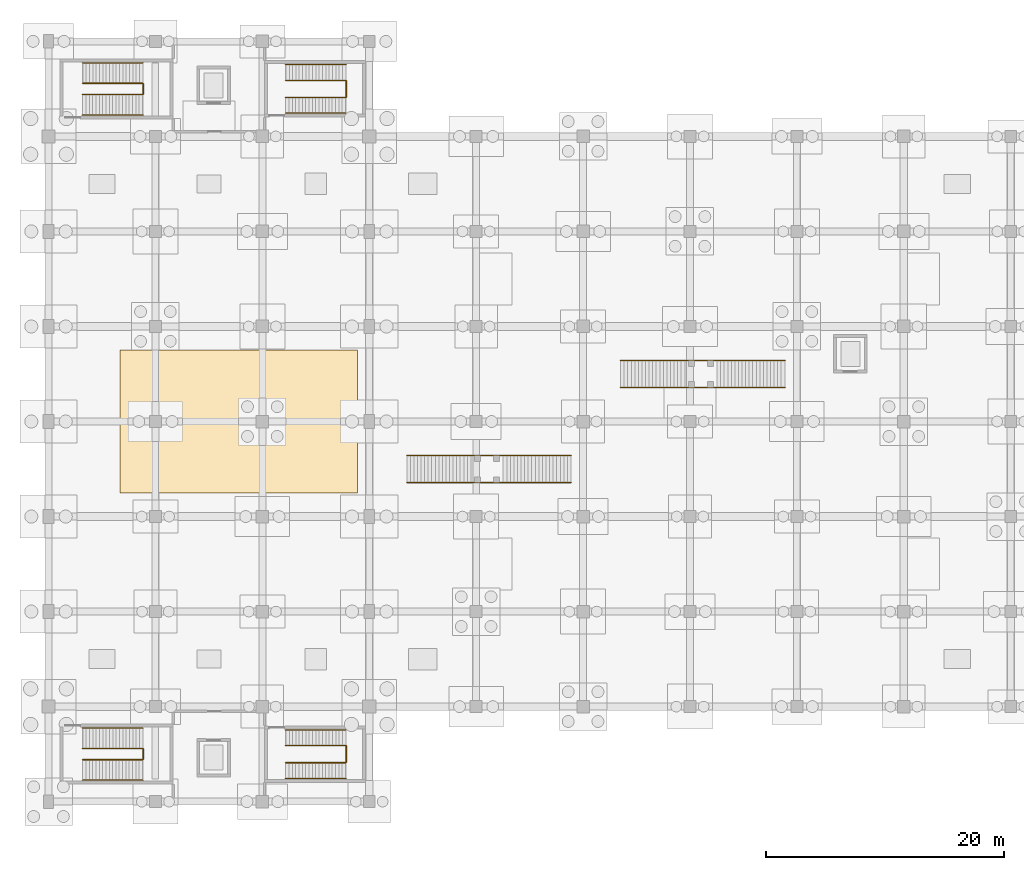
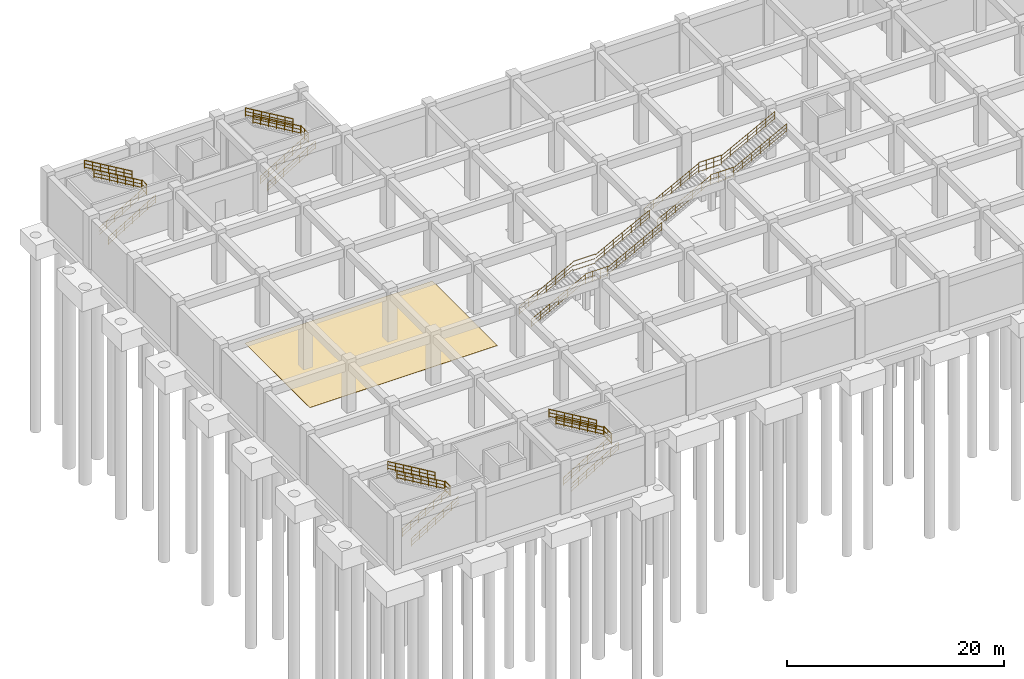
# One storey, part 15 of 18: 32 railings, 1 covering.
"""IFC4 building model written with IfcOpenShell, lengths in metres."""

from ifc_helpers import new_model, si_unit, derived_unit, direction, frame, origin, origin_2d, place, context, subcontext, project, spatial, polyline, circle, outline, extrude, material, layer, layer_set, type_object, element, save


model = new_model("IFC4")

# Units and contexts
model_context = context("Model", 3, precision=1e-05, world=origin(), true_north=direction((0.0, 1.0)))
body_context = subcontext(model_context, "Body", "Model", "MODEL_VIEW")
ifc_project = project(units=[si_unit("LENGTHUNIT", "METRE"), si_unit("AREAUNIT", "SQUARE_METRE"), si_unit("VOLUMEUNIT", "CUBIC_METRE"), si_unit("PLANEANGLEUNIT", "RADIAN"), si_unit("MASSUNIT", "GRAM", prefix="KILO"), derived_unit("THERMALTRANSMITTANCEUNIT", [(si_unit("MASSUNIT", "GRAM", prefix="KILO"), 1), (si_unit("TIMEUNIT", "SECOND"), -3), (si_unit("THERMODYNAMICTEMPERATUREUNIT", "KELVIN"), -1)])], contexts=[model_context])

# Site, building, storey
site_placement = place(None, origin())
site = spatial("IfcSite", under=ifc_project, at=site_placement, CompositionType="ELEMENT")
building_placement = place(site_placement, origin())
building = spatial("IfcBuilding", under=site, at=building_placement, Name="Zhenchuan Archway Interchange", CompositionType="ELEMENT")
storey_placement = place(building_placement, frame((0.0, 0.0, -12.0)))
storey = spatial("IfcBuildingStorey", under=building, at=storey_placement, Name="B2", CompositionType="ELEMENT", Elevation=-12.0)

# Covering
ifc_material_1 = material(Name="Precast Terrazzo", Category="concrete")
ifc_layer = layer(ifc_material_1, 0.02490234375)
ifc_layer_set = layer_set([ifc_layer], Name="Precast Terrazzo")
covering_type = type_object("IfcCoveringType", Name="COV_FLR_TERRAZZO", PredefinedType="FLOORING", material=ifc_layer_set)
covering_placement = place(storey_placement, origin())
element("IfcCovering", 1, at=covering_placement, inside=storey, type_object=covering_type, Name="Concourse floor finish panel 01 (B2)", PredefinedType="FLOORING", context=body_context, shape_type="SweptSolid", body=[
    extrude(outline(polyline([(42.0, 50.0), (62.0, 50.0), (62.0, 62.0), (42.0, 62.0), (42.0, 50.0)])), origin(), (0.0, 0.0, 1.0), 0.02490234375),
])

# Railings
ifc_material_2 = material(Name="Painted Galvanised Steel", Category="steel")
railing_type_1 = type_object("IfcRailingType", Name="RL_GUARD_1150", PredefinedType="GUARDRAIL", material=ifc_material_2)
for number, where, name in (
    (2, (43.97509765625, 27.56494140625, 3.0), "Stair ST-M1 half-landing slot guard (B2)"),
    (3, (43.97509765625, 83.56494140625, 3.0), "Stair ST-M2 half-landing slot guard (B2)"),
):
    element("IfcRailing", number, at=place(storey_placement, frame(where)), inside=storey, type_object=railing_type_1, Name=name, PredefinedType="GUARDRAIL", context=body_context, shape_type="SweptSolid", body=[
        extrude(circle(Radius=0.02392578125, at=origin_2d()), frame((0.0, 0.0, 1.1259765625), z_axis=(0.0, 1.0, 0.0), x_axis=(-1.0, 0.0, 0.0)), (0.0, 0.0, 1.0), 0.8701171875),
        extrude(circle(Radius=0.01611328125, at=origin_2d()), frame((0.0, 0.0, 0.63232421875), z_axis=(0.0, 1.0, 0.0), x_axis=(-1.0, 0.0, 0.0)), (0.0, 0.0, 1.0), 0.8701171875),
        extrude(circle(Radius=0.01611328125, at=origin_2d()), frame((0.0, 0.0, 0.1201171875), z_axis=(0.0, 1.0, 0.0), x_axis=(-1.0, 0.0, 0.0)), (0.0, 0.0, 1.0), 0.8701171875),
        extrude(circle(Radius=0.02099609375, at=origin_2d()), origin(), (0.0, 0.0, 1.0), 1.1259765625),
        extrude(circle(Radius=0.02099609375, at=origin_2d()), frame((0.0, 0.8701171875, 0.0)), (0.0, 0.0, 1.0), 1.1259765625),
    ])
for number, where, name in (
    (4, (61.06494140625, 27.31494140625, 3.0), "Stair ST-M3 half-landing slot guard (B2)"),
    (5, (61.06494140625, 83.31494140625, 3.0), "Stair ST-M4 half-landing slot guard (B2)"),
):
    element("IfcRailing", number, at=place(storey_placement, frame(where)), inside=storey, type_object=railing_type_1, Name=name, PredefinedType="GUARDRAIL", context=body_context, shape_type="SweptSolid", body=[
        extrude(circle(Radius=0.02392578125, at=origin_2d()), frame((0.0, 0.0, 1.1259765625), z_axis=(0.0, 1.0, 0.0), x_axis=(-1.0, 0.0, 0.0)), (0.0, 0.0, 1.0), 1.3701171875),
        extrude(circle(Radius=0.01611328125, at=origin_2d()), frame((0.0, 0.0, 0.63232421875), z_axis=(0.0, 1.0, 0.0), x_axis=(-1.0, 0.0, 0.0)), (0.0, 0.0, 1.0), 1.3701171875),
        extrude(circle(Radius=0.01611328125, at=origin_2d()), frame((0.0, 0.0, 0.1201171875), z_axis=(0.0, 1.0, 0.0), x_axis=(-1.0, 0.0, 0.0)), (0.0, 0.0, 1.0), 1.3701171875),
        extrude(circle(Radius=0.02099609375, at=origin_2d()), origin(), (0.0, 0.0, 1.0), 1.1259765625),
        extrude(circle(Radius=0.02099609375, at=origin_2d()), frame((0.0, 0.68505859375, 0.0)), (0.0, 0.0, 1.0), 1.1259765625),
        extrude(circle(Radius=0.02099609375, at=origin_2d()), frame((0.0, 1.3701171875, 0.0)), (0.0, 0.0, 1.0), 1.1259765625),
    ])
for number, where, name in (
    (6, (71.8798828125, 50.85009765625, 3.0), "Stair ST-P1 landing guard 1"),
    (7, (71.8798828125, 53.14990234375, 3.0), "Stair ST-P1 landing guard 2"),
    (8, (89.8798828125, 58.875, 3.0), "Stair ST-P2 landing guard 1"),
    (9, (89.8798828125, 61.125, 3.0), "Stair ST-P2 landing guard 2"),
):
    element("IfcRailing", number, at=place(storey_placement, frame(where)), inside=storey, type_object=railing_type_1, Name=name, PredefinedType="GUARDRAIL", context=body_context, shape_type="SweptSolid", body=[
        extrude(circle(Radius=0.02392578125, at=origin_2d()), frame((0.0, 0.0, 1.1259765625), z_axis=(1.0, 0.0, 0.0), x_axis=(0.0, 1.0, 0.0)), (0.0, 0.0, 1.0), 2.400146484375),
        extrude(circle(Radius=0.01611328125, at=origin_2d()), frame((0.0, 0.0, 0.63232421875), z_axis=(1.0, 0.0, 0.0), x_axis=(0.0, 1.0, 0.0)), (0.0, 0.0, 1.0), 2.400146484375),
        extrude(circle(Radius=0.01611328125, at=origin_2d()), frame((0.0, 0.0, 0.1201171875), z_axis=(1.0, 0.0, 0.0), x_axis=(0.0, 1.0, 0.0)), (0.0, 0.0, 1.0), 2.400146484375),
        extrude(circle(Radius=0.02099609375, at=origin_2d()), origin(), (0.0, 0.0, 1.0), 1.1259765625),
        extrude(circle(Radius=0.02099609375, at=origin_2d()), frame((0.800048828125, 0.0, 0.0)), (0.0, 0.0, 1.0), 1.1259765625),
        extrude(circle(Radius=0.02099609375, at=origin_2d()), frame((1.60009765625, 0.0, 0.0)), (0.0, 0.0, 1.0), 1.1259765625),
        extrude(circle(Radius=0.02099609375, at=origin_2d()), frame((2.400146484375, 0.0, 0.0)), (0.0, 0.0, 1.0), 1.1259765625),
    ])
ifc_material_3 = material(Name="Stainless Steel 304", Category="steel")
railing_type_2 = type_object("IfcRailingType", Name="RL_HAND_920", PredefinedType="HANDRAIL", material=ifc_material_3)
for number, where, name in (
    (10, (38.875, 25.804931640625, 0.157958984375), "Stair ST-M1 handrail 1 (B2)"),
    (11, (38.875, 27.52490234375, 0.157958984375), "Stair ST-M1 handrail 2 (B2)"),
):
    element("IfcRailing", number, at=place(storey_placement, frame(where)), inside=storey, type_object=railing_type_2, Name=name, PredefinedType="HANDRAIL", context=body_context, shape_type="SweptSolid", body=[
        extrude(circle(Radius=0.02392578125, at=origin_2d()), frame((0.0, 0.0, 0.89599609375), z_axis=(0.860183649657, 0.0, 0.509984400607), x_axis=(0.0, 1.0, 0.0)), (0.0, 0.0, 1.0), 5.882568359375),
        extrude(circle(Radius=0.01611328125, at=origin_2d()), frame((0.0, 0.0, 0.505859375), z_axis=(0.860183649657, 0.0, 0.509984400607), x_axis=(0.0, 1.0, 0.0)), (0.0, 0.0, 1.0), 5.882568359375),
        extrude(circle(Radius=0.01611328125, at=origin_2d()), frame((0.0, 0.0, 0.1201171875), z_axis=(0.860183649657, 0.0, 0.509984400607), x_axis=(0.0, 1.0, 0.0)), (0.0, 0.0, 1.0), 5.882568359375),
        extrude(circle(Radius=0.02099609375, at=origin_2d()), origin(), (0.0, 0.0, 1.0), 0.89599609375),
        extrude(circle(Radius=0.02099609375, at=origin_2d()), frame((0.84326171875, 0.0, 0.5)), (0.0, 0.0, 1.0), 0.89599609375),
        extrude(circle(Radius=0.02099609375, at=origin_2d()), frame((1.686767578125, 0.0, 1.0)), (0.0, 0.0, 1.0), 0.89599609375),
        extrude(circle(Radius=0.02099609375, at=origin_2d()), frame((2.530029296875, 0.0, 1.5)), (0.0, 0.0, 1.0), 0.89599609375),
        extrude(circle(Radius=0.02099609375, at=origin_2d()), frame((3.373291015625, 0.0, 2.0)), (0.0, 0.0, 1.0), 0.89599609375),
        extrude(circle(Radius=0.02099609375, at=origin_2d()), frame((4.216796875, 0.0, 2.5)), (0.0, 0.0, 1.0), 0.89599609375),
        extrude(circle(Radius=0.02099609375, at=origin_2d()), frame((5.06005859375, 0.0, 3.0)), (0.0, 0.0, 1.0), 0.89599609375),
    ])
for number, where, name in (
    (12, (43.93505859375, 28.47509765625, 3.157958984375), "Stair ST-M1 handrail 3 (B2)"),
    (13, (43.93505859375, 30.195068359375, 3.157958984375), "Stair ST-M1 handrail 4 (B2)"),
):
    element("IfcRailing", number, at=place(storey_placement, frame(where)), inside=storey, type_object=railing_type_2, Name=name, PredefinedType="HANDRAIL", context=body_context, shape_type="SweptSolid", body=[
        extrude(circle(Radius=0.02392578125, at=origin_2d()), frame((0.0, 0.0, 0.89599609375), z_axis=(-0.860183649657, 0.0, 0.509984400607), x_axis=(0.0, -1.0, 0.0)), (0.0, 0.0, 1.0), 5.882568359375),
        extrude(circle(Radius=0.01611328125, at=origin_2d()), frame((0.0, 0.0, 0.505859375), z_axis=(-0.860183649657, 0.0, 0.509984400607), x_axis=(0.0, -1.0, 0.0)), (0.0, 0.0, 1.0), 5.882568359375),
        extrude(circle(Radius=0.01611328125, at=origin_2d()), frame((0.0, 0.0, 0.1201171875), z_axis=(-0.860183649657, 0.0, 0.509984400607), x_axis=(0.0, -1.0, 0.0)), (0.0, 0.0, 1.0), 5.882568359375),
        extrude(circle(Radius=0.02099609375, at=origin_2d()), origin(), (0.0, 0.0, 1.0), 0.89599609375),
        extrude(circle(Radius=0.02099609375, at=origin_2d()), frame((-0.84326171875, 0.0, 0.5)), (0.0, 0.0, 1.0), 0.89599609375),
        extrude(circle(Radius=0.02099609375, at=origin_2d()), frame((-1.686767578125, 0.0, 1.0)), (0.0, 0.0, 1.0), 0.89599609375),
        extrude(circle(Radius=0.02099609375, at=origin_2d()), frame((-2.530029296875, 0.0, 1.5)), (0.0, 0.0, 1.0), 0.89599609375),
        extrude(circle(Radius=0.02099609375, at=origin_2d()), frame((-3.373291015625, 0.0, 2.0)), (0.0, 0.0, 1.0), 0.89599609375),
        extrude(circle(Radius=0.02099609375, at=origin_2d()), frame((-4.216796875, 0.0, 2.5)), (0.0, 0.0, 1.0), 0.89599609375),
        extrude(circle(Radius=0.02099609375, at=origin_2d()), frame((-5.06005859375, 0.0, 3.0)), (0.0, 0.0, 1.0), 0.89599609375),
    ])
for number, where, name in (
    (14, (38.875, 81.804931640625, 0.157958984375), "Stair ST-M2 handrail 1 (B2)"),
    (15, (38.875, 83.52490234375, 0.157958984375), "Stair ST-M2 handrail 2 (B2)"),
):
    element("IfcRailing", number, at=place(storey_placement, frame(where)), inside=storey, type_object=railing_type_2, Name=name, PredefinedType="HANDRAIL", context=body_context, shape_type="SweptSolid", body=[
        extrude(circle(Radius=0.02392578125, at=origin_2d()), frame((0.0, 0.0, 0.89599609375), z_axis=(0.860183649657, 0.0, 0.509984400607), x_axis=(0.0, 1.0, 0.0)), (0.0, 0.0, 1.0), 5.882568359375),
        extrude(circle(Radius=0.01611328125, at=origin_2d()), frame((0.0, 0.0, 0.505859375), z_axis=(0.860183649657, 0.0, 0.509984400607), x_axis=(0.0, 1.0, 0.0)), (0.0, 0.0, 1.0), 5.882568359375),
        extrude(circle(Radius=0.01611328125, at=origin_2d()), frame((0.0, 0.0, 0.1201171875), z_axis=(0.860183649657, 0.0, 0.509984400607), x_axis=(0.0, 1.0, 0.0)), (0.0, 0.0, 1.0), 5.882568359375),
        extrude(circle(Radius=0.02099609375, at=origin_2d()), origin(), (0.0, 0.0, 1.0), 0.89599609375),
        extrude(circle(Radius=0.02099609375, at=origin_2d()), frame((0.84326171875, 0.0, 0.5)), (0.0, 0.0, 1.0), 0.89599609375),
        extrude(circle(Radius=0.02099609375, at=origin_2d()), frame((1.686767578125, 0.0, 1.0)), (0.0, 0.0, 1.0), 0.89599609375),
        extrude(circle(Radius=0.02099609375, at=origin_2d()), frame((2.530029296875, 0.0, 1.5)), (0.0, 0.0, 1.0), 0.89599609375),
        extrude(circle(Radius=0.02099609375, at=origin_2d()), frame((3.373291015625, 0.0, 2.0)), (0.0, 0.0, 1.0), 0.89599609375),
        extrude(circle(Radius=0.02099609375, at=origin_2d()), frame((4.216796875, 0.0, 2.5)), (0.0, 0.0, 1.0), 0.89599609375),
        extrude(circle(Radius=0.02099609375, at=origin_2d()), frame((5.06005859375, 0.0, 3.0)), (0.0, 0.0, 1.0), 0.89599609375),
    ])
for number, where, name in (
    (16, (43.93505859375, 84.47509765625, 3.157958984375), "Stair ST-M2 handrail 3 (B2)"),
    (17, (43.93505859375, 86.195068359375, 3.157958984375), "Stair ST-M2 handrail 4 (B2)"),
):
    element("IfcRailing", number, at=place(storey_placement, frame(where)), inside=storey, type_object=railing_type_2, Name=name, PredefinedType="HANDRAIL", context=body_context, shape_type="SweptSolid", body=[
        extrude(circle(Radius=0.02392578125, at=origin_2d()), frame((0.0, 0.0, 0.89599609375), z_axis=(-0.860183649657, 0.0, 0.509984400607), x_axis=(0.0, -1.0, 0.0)), (0.0, 0.0, 1.0), 5.882568359375),
        extrude(circle(Radius=0.01611328125, at=origin_2d()), frame((0.0, 0.0, 0.505859375), z_axis=(-0.860183649657, 0.0, 0.509984400607), x_axis=(0.0, -1.0, 0.0)), (0.0, 0.0, 1.0), 5.882568359375),
        extrude(circle(Radius=0.01611328125, at=origin_2d()), frame((0.0, 0.0, 0.1201171875), z_axis=(-0.860183649657, 0.0, 0.509984400607), x_axis=(0.0, -1.0, 0.0)), (0.0, 0.0, 1.0), 5.882568359375),
        extrude(circle(Radius=0.02099609375, at=origin_2d()), origin(), (0.0, 0.0, 1.0), 0.89599609375),
        extrude(circle(Radius=0.02099609375, at=origin_2d()), frame((-0.84326171875, 0.0, 0.5)), (0.0, 0.0, 1.0), 0.89599609375),
        extrude(circle(Radius=0.02099609375, at=origin_2d()), frame((-1.686767578125, 0.0, 1.0)), (0.0, 0.0, 1.0), 0.89599609375),
        extrude(circle(Radius=0.02099609375, at=origin_2d()), frame((-2.530029296875, 0.0, 1.5)), (0.0, 0.0, 1.0), 0.89599609375),
        extrude(circle(Radius=0.02099609375, at=origin_2d()), frame((-3.373291015625, 0.0, 2.0)), (0.0, 0.0, 1.0), 0.89599609375),
        extrude(circle(Radius=0.02099609375, at=origin_2d()), frame((-4.216796875, 0.0, 2.5)), (0.0, 0.0, 1.0), 0.89599609375),
        extrude(circle(Radius=0.02099609375, at=origin_2d()), frame((-5.06005859375, 0.0, 3.0)), (0.0, 0.0, 1.0), 0.89599609375),
    ])
for number, where, name in (
    (18, (55.965087890625, 25.955078125, 0.157958984375), "Stair ST-M3 handrail 1 (B2)"),
    (19, (55.965087890625, 27.27490234375, 0.157958984375), "Stair ST-M3 handrail 2 (B2)"),
):
    element("IfcRailing", number, at=place(storey_placement, frame(where)), inside=storey, type_object=railing_type_2, Name=name, PredefinedType="HANDRAIL", context=body_context, shape_type="SweptSolid", body=[
        extrude(circle(Radius=0.02392578125, at=origin_2d()), frame((0.0, 0.0, 0.89599609375), z_axis=(0.860172854904, 0.0, 0.51000260753), x_axis=(0.0, 1.0, 0.0)), (0.0, 0.0, 1.0), 5.88232421875),
        extrude(circle(Radius=0.01611328125, at=origin_2d()), frame((0.0, 0.0, 0.505859375), z_axis=(0.860172854904, 0.0, 0.51000260753), x_axis=(0.0, 1.0, 0.0)), (0.0, 0.0, 1.0), 5.88232421875),
        extrude(circle(Radius=0.01611328125, at=origin_2d()), frame((0.0, 0.0, 0.1201171875), z_axis=(0.860172854904, 0.0, 0.51000260753), x_axis=(0.0, 1.0, 0.0)), (0.0, 0.0, 1.0), 5.88232421875),
        extrude(circle(Radius=0.02099609375, at=origin_2d()), origin(), (0.0, 0.0, 1.0), 0.89599609375),
        extrude(circle(Radius=0.02099609375, at=origin_2d()), frame((0.84326171875, 0.0, 0.5)), (0.0, 0.0, 1.0), 0.89599609375),
        extrude(circle(Radius=0.02099609375, at=origin_2d()), frame((1.6865234375, 0.0, 1.0)), (0.0, 0.0, 1.0), 0.89599609375),
        extrude(circle(Radius=0.02099609375, at=origin_2d()), frame((2.52978515625, 0.0, 1.5)), (0.0, 0.0, 1.0), 0.89599609375),
        extrude(circle(Radius=0.02099609375, at=origin_2d()), frame((3.373291015625, 0.0, 2.0)), (0.0, 0.0, 1.0), 0.89599609375),
        extrude(circle(Radius=0.02099609375, at=origin_2d()), frame((4.216552734375, 0.0, 2.5)), (0.0, 0.0, 1.0), 0.89599609375),
        extrude(circle(Radius=0.02099609375, at=origin_2d()), frame((5.059814453125, 0.0, 3.0)), (0.0, 0.0, 1.0), 0.89599609375),
    ])
for number, where, name in (
    (20, (61.02490234375, 28.72509765625, 3.157958984375), "Stair ST-M3 handrail 3 (B2)"),
    (21, (61.02490234375, 30.044921875, 3.157958984375), "Stair ST-M3 handrail 4 (B2)"),
):
    element("IfcRailing", number, at=place(storey_placement, frame(where)), inside=storey, type_object=railing_type_2, Name=name, PredefinedType="HANDRAIL", context=body_context, shape_type="SweptSolid", body=[
        extrude(circle(Radius=0.02392578125, at=origin_2d()), frame((0.0, 0.0, 0.89599609375), z_axis=(-0.860172854904, 0.0, 0.51000260753), x_axis=(0.0, -1.0, 0.0)), (0.0, 0.0, 1.0), 5.88232421875),
        extrude(circle(Radius=0.01611328125, at=origin_2d()), frame((0.0, 0.0, 0.505859375), z_axis=(-0.860172854904, 0.0, 0.51000260753), x_axis=(0.0, -1.0, 0.0)), (0.0, 0.0, 1.0), 5.88232421875),
        extrude(circle(Radius=0.01611328125, at=origin_2d()), frame((0.0, 0.0, 0.1201171875), z_axis=(-0.860172854904, 0.0, 0.51000260753), x_axis=(0.0, -1.0, 0.0)), (0.0, 0.0, 1.0), 5.88232421875),
        extrude(circle(Radius=0.02099609375, at=origin_2d()), origin(), (0.0, 0.0, 1.0), 0.89599609375),
        extrude(circle(Radius=0.02099609375, at=origin_2d()), frame((-0.84326171875, 0.0, 0.5)), (0.0, 0.0, 1.0), 0.89599609375),
        extrude(circle(Radius=0.02099609375, at=origin_2d()), frame((-1.6865234375, 0.0, 1.0)), (0.0, 0.0, 1.0), 0.89599609375),
        extrude(circle(Radius=0.02099609375, at=origin_2d()), frame((-2.52978515625, 0.0, 1.5)), (0.0, 0.0, 1.0), 0.89599609375),
        extrude(circle(Radius=0.02099609375, at=origin_2d()), frame((-3.373291015625, 0.0, 2.0)), (0.0, 0.0, 1.0), 0.89599609375),
        extrude(circle(Radius=0.02099609375, at=origin_2d()), frame((-4.216552734375, 0.0, 2.5)), (0.0, 0.0, 1.0), 0.89599609375),
        extrude(circle(Radius=0.02099609375, at=origin_2d()), frame((-5.059814453125, 0.0, 3.0)), (0.0, 0.0, 1.0), 0.89599609375),
    ])
for number, where, name in (
    (22, (55.965087890625, 81.955078125, 0.157958984375), "Stair ST-M4 handrail 1 (B2)"),
    (23, (55.965087890625, 83.27490234375, 0.157958984375), "Stair ST-M4 handrail 2 (B2)"),
):
    element("IfcRailing", number, at=place(storey_placement, frame(where)), inside=storey, type_object=railing_type_2, Name=name, PredefinedType="HANDRAIL", context=body_context, shape_type="SweptSolid", body=[
        extrude(circle(Radius=0.02392578125, at=origin_2d()), frame((0.0, 0.0, 0.89599609375), z_axis=(0.860172854904, 0.0, 0.51000260753), x_axis=(0.0, 1.0, 0.0)), (0.0, 0.0, 1.0), 5.88232421875),
        extrude(circle(Radius=0.01611328125, at=origin_2d()), frame((0.0, 0.0, 0.505859375), z_axis=(0.860172854904, 0.0, 0.51000260753), x_axis=(0.0, 1.0, 0.0)), (0.0, 0.0, 1.0), 5.88232421875),
        extrude(circle(Radius=0.01611328125, at=origin_2d()), frame((0.0, 0.0, 0.1201171875), z_axis=(0.860172854904, 0.0, 0.51000260753), x_axis=(0.0, 1.0, 0.0)), (0.0, 0.0, 1.0), 5.88232421875),
        extrude(circle(Radius=0.02099609375, at=origin_2d()), origin(), (0.0, 0.0, 1.0), 0.89599609375),
        extrude(circle(Radius=0.02099609375, at=origin_2d()), frame((0.84326171875, 0.0, 0.5)), (0.0, 0.0, 1.0), 0.89599609375),
        extrude(circle(Radius=0.02099609375, at=origin_2d()), frame((1.6865234375, 0.0, 1.0)), (0.0, 0.0, 1.0), 0.89599609375),
        extrude(circle(Radius=0.02099609375, at=origin_2d()), frame((2.52978515625, 0.0, 1.5)), (0.0, 0.0, 1.0), 0.89599609375),
        extrude(circle(Radius=0.02099609375, at=origin_2d()), frame((3.373291015625, 0.0, 2.0)), (0.0, 0.0, 1.0), 0.89599609375),
        extrude(circle(Radius=0.02099609375, at=origin_2d()), frame((4.216552734375, 0.0, 2.5)), (0.0, 0.0, 1.0), 0.89599609375),
        extrude(circle(Radius=0.02099609375, at=origin_2d()), frame((5.059814453125, 0.0, 3.0)), (0.0, 0.0, 1.0), 0.89599609375),
    ])
for number, where, name in (
    (24, (61.02490234375, 84.72509765625, 3.157958984375), "Stair ST-M4 handrail 3 (B2)"),
    (25, (61.02490234375, 86.044921875, 3.157958984375), "Stair ST-M4 handrail 4 (B2)"),
):
    element("IfcRailing", number, at=place(storey_placement, frame(where)), inside=storey, type_object=railing_type_2, Name=name, PredefinedType="HANDRAIL", context=body_context, shape_type="SweptSolid", body=[
        extrude(circle(Radius=0.02392578125, at=origin_2d()), frame((0.0, 0.0, 0.89599609375), z_axis=(-0.860172854904, 0.0, 0.51000260753), x_axis=(0.0, -1.0, 0.0)), (0.0, 0.0, 1.0), 5.88232421875),
        extrude(circle(Radius=0.01611328125, at=origin_2d()), frame((0.0, 0.0, 0.505859375), z_axis=(-0.860172854904, 0.0, 0.51000260753), x_axis=(0.0, -1.0, 0.0)), (0.0, 0.0, 1.0), 5.88232421875),
        extrude(circle(Radius=0.01611328125, at=origin_2d()), frame((0.0, 0.0, 0.1201171875), z_axis=(-0.860172854904, 0.0, 0.51000260753), x_axis=(0.0, -1.0, 0.0)), (0.0, 0.0, 1.0), 5.88232421875),
        extrude(circle(Radius=0.02099609375, at=origin_2d()), origin(), (0.0, 0.0, 1.0), 0.89599609375),
        extrude(circle(Radius=0.02099609375, at=origin_2d()), frame((-0.84326171875, 0.0, 0.5)), (0.0, 0.0, 1.0), 0.89599609375),
        extrude(circle(Radius=0.02099609375, at=origin_2d()), frame((-1.6865234375, 0.0, 1.0)), (0.0, 0.0, 1.0), 0.89599609375),
        extrude(circle(Radius=0.02099609375, at=origin_2d()), frame((-2.52978515625, 0.0, 1.5)), (0.0, 0.0, 1.0), 0.89599609375),
        extrude(circle(Radius=0.02099609375, at=origin_2d()), frame((-3.373291015625, 0.0, 2.0)), (0.0, 0.0, 1.0), 0.89599609375),
        extrude(circle(Radius=0.02099609375, at=origin_2d()), frame((-4.216552734375, 0.0, 2.5)), (0.0, 0.0, 1.0), 0.89599609375),
        extrude(circle(Radius=0.02099609375, at=origin_2d()), frame((-5.059814453125, 0.0, 3.0)), (0.0, 0.0, 1.0), 0.89599609375),
    ])
for number, where, name in (
    (26, (66.159912109375, 50.85009765625, 0.14990234375), "Stair ST-P1 lower flight handrail 1"),
    (27, (74.280029296875, 50.85009765625, 3.14990234375), "Stair ST-P1 upper flight handrail 1"),
    (28, (66.159912109375, 53.14990234375, 0.14990234375), "Stair ST-P1 lower flight handrail 2"),
    (29, (74.280029296875, 53.14990234375, 3.14990234375), "Stair ST-P1 upper flight handrail 2"),
    (30, (84.159912109375, 58.875, 0.14990234375), "Stair ST-P2 lower flight handrail 1"),
    (31, (92.280029296875, 58.875, 3.14990234375), "Stair ST-P2 upper flight handrail 1"),
    (32, (84.159912109375, 61.125, 0.14990234375), "Stair ST-P2 lower flight handrail 2"),
    (33, (92.280029296875, 61.125, 3.14990234375), "Stair ST-P2 upper flight handrail 2"),
):
    element("IfcRailing", number, at=place(storey_placement, frame(where)), inside=storey, type_object=railing_type_2, Name=name, PredefinedType="HANDRAIL", context=body_context, shape_type="SweptSolid", body=[
        extrude(circle(Radius=0.02392578125, at=origin_2d()), frame((0.0, 0.0, 0.89599609375), z_axis=(0.885588007981, 0.0, 0.464471613901), x_axis=(0.0, 1.0, 0.0)), (0.0, 0.0, 1.0), 6.458984375),
        extrude(circle(Radius=0.01611328125, at=origin_2d()), frame((0.0, 0.0, 0.505859375), z_axis=(0.885588007981, 0.0, 0.464471613901), x_axis=(0.0, 1.0, 0.0)), (0.0, 0.0, 1.0), 6.458984375),
        extrude(circle(Radius=0.01611328125, at=origin_2d()), frame((0.0, 0.0, 0.1201171875), z_axis=(0.885588007981, 0.0, 0.464471613901), x_axis=(0.0, 1.0, 0.0)), (0.0, 0.0, 1.0), 6.458984375),
        extrude(circle(Radius=0.02099609375, at=origin_2d()), origin(), (0.0, 0.0, 1.0), 0.89599609375),
        extrude(circle(Radius=0.02099609375, at=origin_2d()), frame((0.953369140625, 0.0, 0.5)), (0.0, 0.0, 1.0), 0.89599609375),
        extrude(circle(Radius=0.02099609375, at=origin_2d()), frame((1.90673828125, 0.0, 1.0)), (0.0, 0.0, 1.0), 0.89599609375),
        extrude(circle(Radius=0.02099609375, at=origin_2d()), frame((2.85986328125, 0.0, 1.5)), (0.0, 0.0, 1.0), 0.89599609375),
        extrude(circle(Radius=0.02099609375, at=origin_2d()), frame((3.813232421875, 0.0, 2.0)), (0.0, 0.0, 1.0), 0.89599609375),
        extrude(circle(Radius=0.02099609375, at=origin_2d()), frame((4.7666015625, 0.0, 2.5)), (0.0, 0.0, 1.0), 0.89599609375),
        extrude(circle(Radius=0.02099609375, at=origin_2d()), frame((5.719970703125, 0.0, 3.0)), (0.0, 0.0, 1.0), 0.89599609375),
    ])

save(model, "model.ifc")
